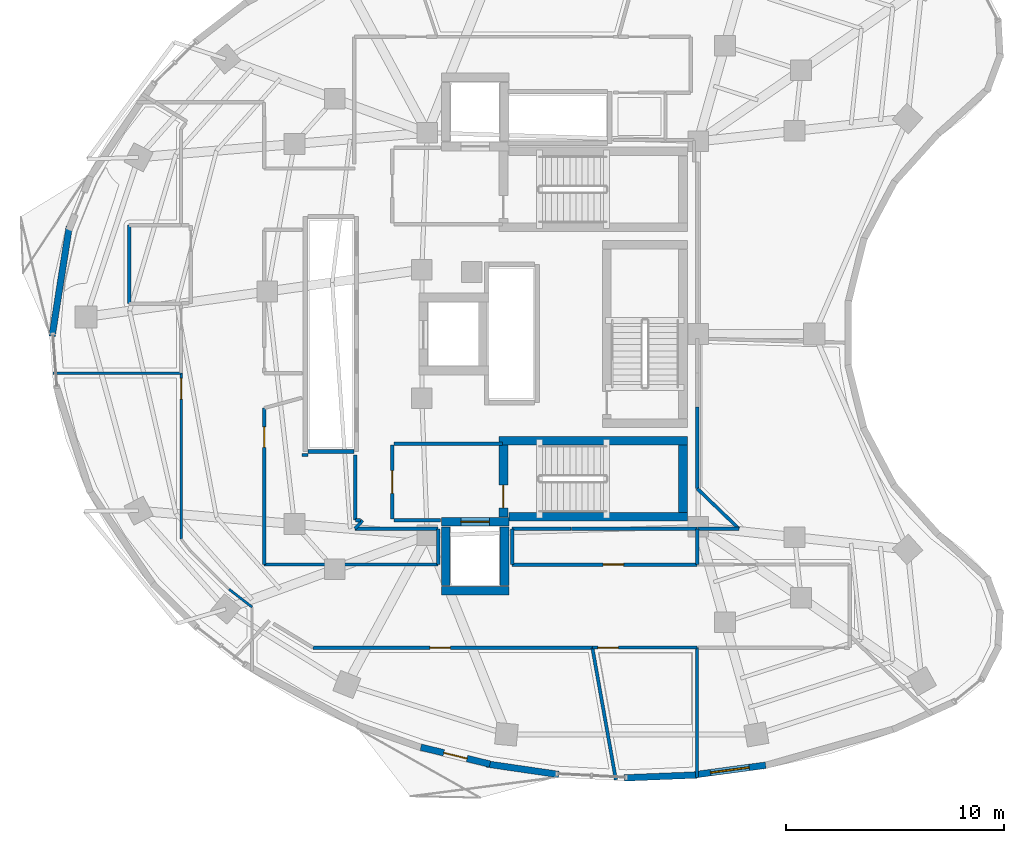
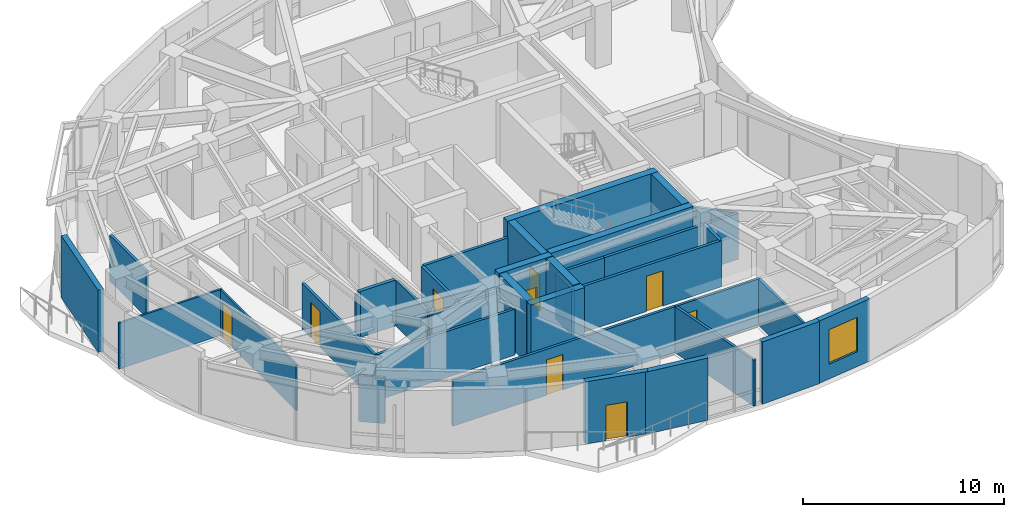
# One storey, part 7 of 13: 41 walls, 9 doors, 1 window, 10 openings.
"""IFC4 building model written with IfcOpenShell, lengths in metres."""

from ifc_helpers import new_model, si_unit, direction, frame, frame_2d, origin, place, context, subcontext, project, spatial, rectangle, extrude, material, layer, layer_set, type_object, element, fill, save


model = new_model("IFC4")

# Units and contexts
model_context = context("Model", 3, precision=1e-05, world=origin(), true_north=direction((0.0, 1.0)))
body_context = subcontext(model_context, "Body", "Model", "MODEL_VIEW")
ifc_project = project(units=[si_unit("LENGTHUNIT", "METRE"), si_unit("AREAUNIT", "SQUARE_METRE"), si_unit("VOLUMEUNIT", "CUBIC_METRE"), si_unit("PLANEANGLEUNIT", "RADIAN"), si_unit("MASSUNIT", "GRAM", prefix="KILO")], contexts=[model_context])

# Site, building, storey
site_placement = place(None, origin())
site = spatial("IfcSite", under=ifc_project, at=site_placement, CompositionType="ELEMENT")
building_placement = place(site_placement, origin())
building = spatial("IfcBuilding", under=site, at=building_placement, Name="Korentha Bioscience Tower", CompositionType="ELEMENT")
storey_placement = place(building_placement, frame((0.0, 0.0, 162.60009765625)))
storey = spatial("IfcBuildingStorey", under=building, at=storey_placement, Name="L37", CompositionType="ELEMENT", Elevation=162.60009765625)

# Wall, opening, door
ifc_material_1 = material(Name="Double-Stud Acoustic Gypsum", Category="gypsum")
ifc_layer_1 = layer(ifc_material_1, 0.14990234375, Name="Double-Stud Acoustic Gypsum")
ifc_layer_set_1 = layer_set([ifc_layer_1], Name="Double-Stud Acoustic Gypsum (IW-L150)")
wall_type_1 = type_object("IfcWallType", Name="Acoustic Laboratory Partition Wall 150", PredefinedType="PARTITIONING", material=ifc_layer_set_1)
wall_1_placement = place(storey_placement, frame((17.610107421875, 16.409912109375, 0.0), z_axis=(0.0, 0.0, 1.0), x_axis=(0.0, 1.0, 0.0)))
wall_1 = element("IfcWall", 1, at=wall_1_placement, inside=storey, type_object=wall_type_1, Name="L37 Research Colloquium Seminar Room 02 Entrance Wall", PredefinedType="PARTITIONING", context=body_context, shape_type="SweptSolid", body=[
    extrude(rectangle(XDim=7.18896484375, YDim=0.14990234375, at=frame_2d((3.594482421875, 0.0))), origin(), (0.0, 0.0, 1.0), 2.7998046875),
])
opening_1_placement = place(wall_1_placement, frame((5.376953125, 0.0, 0.0)))
opening_1 = element("IfcOpeningElement", 2, at=opening_1_placement, cuts=wall_1, Name="Opening ID-10L", PredefinedType="OPENING", context=body_context, shape_type="SweptSolid", body=[
    extrude(rectangle(XDim=0.949951171875, YDim=2.14990234375, at=frame_2d((0.47509765625, 1.074951171875))), frame((0.0, 0.08984375, 0.0), z_axis=(0.0, -1.0, 0.0), x_axis=(1.0, 0.0, 0.0)), (0.0, 0.0, 1.0), 0.1796875),
])
ifc_material_2 = material(Name="Phenolic Laminate Timber Core", Category="wood")
door_type_1 = type_object("IfcDoorType", Name="Laboratory Single Leaf Door 950x2150 Left", OperationType="SINGLE_SWING_LEFT", PredefinedType="DOOR", material=ifc_material_2)
door_1_placement = place(opening_1_placement, origin())
door_1 = element("IfcDoor", 3, at=door_1_placement, inside=storey, type_object=door_type_1, Name="L37 Research Colloquium Seminar Room 02 Door", OperationType="SINGLE_SWING_LEFT", OverallHeight=2.14990234375, OverallWidth=0.949951171875, PredefinedType="DOOR", context=body_context, shape_type="SweptSolid", body=[
    extrude(rectangle(XDim=0.949951171875, YDim=2.14990234375, at=frame_2d((0.47509765625, 1.074951171875))), frame((0.0, 0.02490234375, 0.0), z_axis=(0.0, -1.0, 0.0), x_axis=(1.0, 0.0, 0.0)), (0.0, 0.0, 1.0), 0.050048828125),
])
fill(opening_1, door_1)

wall_2_placement = place(storey_placement, frame((19.849853515625, 12.590087890625, 0.0), z_axis=(0.0, 0.0, 1.0), x_axis=(1.0, 0.0, 0.0)))
wall_2 = element("IfcWall", 4, at=wall_2_placement, inside=storey, type_object=wall_type_1, Name="L37 Staff Pantry Kitchenette 03 Entrance Wall", PredefinedType="PARTITIONING", context=body_context, shape_type="SweptSolid", body=[
    extrude(rectangle(XDim=12.83544921875, YDim=0.14990234375, at=frame_2d((6.417724609375, 0.0))), origin(), (0.0, 0.0, 1.0), 2.7998046875),
])
opening_2_placement = place(wall_2_placement, frame((5.365234375, 0.0, 0.0)))
opening_2 = element("IfcOpeningElement", 5, at=opening_2_placement, cuts=wall_2, Name="Opening ID-10R", PredefinedType="OPENING", context=body_context, shape_type="SweptSolid", body=[
    extrude(rectangle(XDim=0.949951171875, YDim=2.14990234375, at=frame_2d((0.47509765625, 1.074951171875))), frame((0.0, 0.08984375, 0.0), z_axis=(0.0, -1.0, 0.0), x_axis=(1.0, 0.0, 0.0)), (0.0, 0.0, 1.0), 0.1796875),
])
door_type_2 = type_object("IfcDoorType", Name="Laboratory Single Leaf Door 950x2150 Right", OperationType="SINGLE_SWING_RIGHT", PredefinedType="DOOR", material=ifc_material_2)
door_2_placement = place(opening_2_placement, origin())
door_2 = element("IfcDoor", 6, at=door_2_placement, inside=storey, type_object=door_type_2, Name="L37 Staff Pantry Kitchenette 03 Door", OperationType="SINGLE_SWING_RIGHT", OverallHeight=2.14990234375, OverallWidth=0.949951171875, PredefinedType="DOOR", context=body_context, shape_type="SweptSolid", body=[
    extrude(rectangle(XDim=0.949951171875, YDim=2.14990234375, at=frame_2d((0.47509765625, 1.074951171875))), frame((0.0, 0.02490234375, 0.0), z_axis=(0.0, -1.0, 0.0), x_axis=(1.0, 0.0, 0.0)), (0.0, 0.0, 1.0), 0.050048828125),
])
fill(opening_2, door_2)

# Walls
wall_3_placement = place(storey_placement, frame((19.35009765625, 21.43994140625, 0.0), z_axis=(0.0, 0.0, 1.0), x_axis=(1.0, 0.0, 0.0)))
element("IfcWall", 7, at=wall_3_placement, inside=storey, type_object=wall_type_1, Name="L37 Interior Partition 028", PredefinedType="PARTITIONING", context=body_context, shape_type="SweptSolid", body=[
    extrude(rectangle(XDim=0.27001953125, YDim=0.14990234375, at=frame_2d((0.135009765625, 0.0))), origin(), (0.0, 0.0, 1.0), 2.7998046875),
])
wall_4_placement = place(storey_placement, frame((21.7900390625, 21.43994140625, 0.0), z_axis=(0.0, 0.0, 1.0), x_axis=(0.0, -1.0, 0.0)))
element("IfcWall", 8, at=wall_4_placement, inside=storey, type_object=wall_type_1, Name="L37 Interior Partition 029", PredefinedType="PARTITIONING", context=body_context, shape_type="SweptSolid", body=[
    extrude(rectangle(XDim=2.989990234375, YDim=0.14990234375, at=frame_2d((1.4951171875, 0.0))), origin(), (0.0, 0.0, 1.0), 2.7998046875),
])
wall_5_placement = place(storey_placement, frame((21.800048828125, 18.43994140625, 0.0), z_axis=(0.0, 0.0, 1.0), x_axis=(1.0, 0.0, 0.0)))
element("IfcWall", 9, at=wall_5_placement, inside=storey, type_object=wall_type_1, Name="L37 Interior Partition 030", PredefinedType="PARTITIONING", context=body_context, shape_type="SweptSolid", body=[
    extrude(rectangle(XDim=0.228759765625, YDim=0.14990234375, at=frame_2d((0.1142578125, 0.0))), origin(), (0.0, 0.0, 1.0), 2.7998046875),
])
wall_6_placement = place(storey_placement, frame((22.13525390625, 18.43994140625, 0.0), z_axis=(0.0, 0.0, 1.0), x_axis=(-0.68187219697, -0.731471330265, 0.0)))
element("IfcWall", 10, at=wall_6_placement, inside=storey, type_object=wall_type_1, Name="L37 Interior Partition 031", PredefinedType="PARTITIONING", context=body_context, shape_type="SweptSolid", body=[
    extrude(rectangle(XDim=0.526611328125, YDim=0.14990234375, at=frame_2d((0.26318359375, 0.0))), origin(), (0.0, 0.0, 1.0), 2.7998046875),
])
wall_7_placement = place(storey_placement, frame((21.779052734375, 18.048095703125, 0.0), z_axis=(0.0, 0.0, 1.0), x_axis=(1.0, 0.0, 0.0)))
element("IfcWall", 11, at=wall_7_placement, inside=storey, type_object=wall_type_1, Name="L37 Interior Partition 032", PredefinedType="PARTITIONING", context=body_context, shape_type="SweptSolid", body=[
    extrude(rectangle(XDim=3.82080078125, YDim=0.14990234375, at=frame_2d((1.910400390625, 0.0))), origin(), (0.0, 0.0, 1.0), 2.7998046875),
])
wall_8_placement = place(storey_placement, frame((25.60009765625, 18.0478515625, 0.0), z_axis=(0.0, 0.0, 1.0), x_axis=(0.0, -1.0, 0.0)))
element("IfcWall", 12, at=wall_8_placement, inside=storey, type_object=wall_type_1, Name="L37 Interior Partition 033", PredefinedType="PARTITIONING", context=body_context, shape_type="SweptSolid", body=[
    extrude(rectangle(XDim=1.637939453125, YDim=0.14990234375, at=frame_2d((0.81884765625, 0.0))), origin(), (0.0, 0.0, 1.0), 2.7998046875),
])
wall_9_placement = place(storey_placement, frame((25.60009765625, 16.409912109375, 0.0), z_axis=(0.0, 0.0, 1.0), x_axis=(-1.0, 0.0, 0.0)))
element("IfcWall", 13, at=wall_9_placement, inside=storey, type_object=wall_type_1, Name="L37 Interior Partition 034", PredefinedType="PARTITIONING", context=body_context, shape_type="SweptSolid", body=[
    extrude(rectangle(XDim=7.989990234375, YDim=0.14990234375, at=frame_2d((3.9951171875, 0.0))), origin(), (0.0, 0.0, 1.0), 2.7998046875),
])
wall_10_placement = place(storey_placement, frame((32.685302734375, 12.590087890625, 0.0), z_axis=(0.0, 0.0, 1.0), x_axis=(0.175350659772, -0.984506041687, 0.0)))
element("IfcWall", 14, at=wall_10_placement, inside=storey, type_object=wall_type_1, Name="L37 Interior Partition 037", PredefinedType="PARTITIONING", context=body_context, shape_type="SweptSolid", body=[
    extrude(rectangle(XDim=6.1650390625, YDim=0.14990234375, at=frame_2d((3.08251953125, 0.0))), origin(), (0.0, 0.0, 1.0), 2.7998046875),
])
wall_11_placement = place(storey_placement, frame((37.508056640625, 18.048095703125, 0.0), z_axis=(0.0, 0.0, 1.0), x_axis=(1.0, 0.0, 0.0)))
element("IfcWall", 15, at=wall_11_placement, inside=storey, type_object=wall_type_1, Name="L37 Interior Partition 049", PredefinedType="PARTITIONING", context=body_context, shape_type="SweptSolid", body=[
    extrude(rectangle(XDim=1.907958984375, YDim=0.14990234375, at=frame_2d((0.9541015625, 0.0))), origin(), (0.0, 0.0, 1.0), 2.7998046875),
])
wall_12_placement = place(storey_placement, frame((39.418701171875, 18.054931640625, 0.0), z_axis=(0.0, 0.0, 1.0), x_axis=(-0.720561375154, 0.693391162791, 0.0)))
element("IfcWall", 16, at=wall_12_placement, inside=storey, type_object=wall_type_1, Name="L37 Interior Partition 050", PredefinedType="PARTITIONING", context=body_context, shape_type="SweptSolid", body=[
    extrude(rectangle(XDim=2.65966796875, YDim=0.14990234375, at=frame_2d((1.329833984375, 0.0))), origin(), (0.0, 0.0, 1.0), 2.7998046875),
])
wall_13_placement = place(storey_placement, frame((37.501953125, 19.8994140625, 0.0), z_axis=(0.0, 0.0, 1.0), x_axis=(0.0, 1.0, 0.0)))
element("IfcWall", 17, at=wall_13_placement, inside=storey, type_object=wall_type_1, Name="L37 Interior Partition 051", PredefinedType="PARTITIONING", context=body_context, shape_type="SweptSolid", body=[
    extrude(rectangle(XDim=3.74853515625, YDim=0.14990234375, at=frame_2d((1.874267578125, 0.0))), origin(), (0.0, 0.0, 1.0), 2.7998046875),
])

# Wall, opening, door
ifc_material_3 = material(Name="Insulated Aluminium Honeycomb Panel", Category="aluminium")
ifc_layer_2 = layer(ifc_material_3, 0.139892578125, Name="Insulated Aluminium Honeycomb Panel")
ifc_layer_set_2 = layer_set([ifc_layer_2], Name="Insulated Aluminium Honeycomb Panel (IW-F60)")
wall_type_2 = type_object("IfcWallType", Name="Cleanroom Flush Metal Panel Partition 140", PredefinedType="PARTITIONING", material=ifc_layer_set_2)
wall_14_placement = place(storey_placement, frame((32.6953125, 12.590087890625, 0.0), z_axis=(0.0, 0.0, 1.0), x_axis=(1.0, 0.0, 0.0)))
wall_14 = element("IfcWall", 18, at=wall_14_placement, inside=storey, type_object=wall_type_2, Name="L37 Airlock Gowning Anteroom 05 Entrance Wall", PredefinedType="PARTITIONING", context=body_context, shape_type="SweptSolid", body=[
    extrude(rectangle(XDim=4.802734375, YDim=0.139892578125, at=frame_2d((2.4013671875, 0.0))), origin(), (0.0, 0.0, 1.0), 2.7998046875),
])
opening_3_placement = place(wall_14_placement, frame((0.239990234375, 0.0, 0.0)))
opening_3 = element("IfcOpeningElement", 19, at=opening_3_placement, cuts=wall_14, Name="Opening ID-10R", PredefinedType="OPENING", context=body_context, shape_type="SweptSolid", body=[
    extrude(rectangle(XDim=0.949951171875, YDim=2.14990234375, at=frame_2d((0.47509765625, 1.074951171875))), frame((0.0, 0.0849609375, 0.0), z_axis=(0.0, -1.0, 0.0), x_axis=(1.0, 0.0, 0.0)), (0.0, 0.0, 1.0), 0.169677734375),
])
door_3_placement = place(opening_3_placement, origin())
door_3 = element("IfcDoor", 20, at=door_3_placement, inside=storey, type_object=door_type_2, Name="L37 Airlock Gowning Anteroom 05 Door", OperationType="SINGLE_SWING_RIGHT", OverallHeight=2.14990234375, OverallWidth=0.949951171875, PredefinedType="DOOR", context=body_context, shape_type="SweptSolid", body=[
    extrude(rectangle(XDim=0.949951171875, YDim=2.14990234375, at=frame_2d((0.47509765625, 1.074951171875))), frame((0.0, 0.02490234375, 0.0), z_axis=(0.0, -1.0, 0.0), x_axis=(1.0, 0.0, 0.0)), (0.0, 0.0, 1.0), 0.050048828125),
])
fill(opening_3, door_3)

# Wall
wall_15_placement = place(storey_placement, frame((37.498046875, 12.590087890625, 0.0), z_axis=(0.0, 0.0, 1.0), x_axis=(0.0, -1.0, 0.0)))
element("IfcWall", 21, at=wall_15_placement, inside=storey, type_object=wall_type_2, Name="L37 Interior Partition 044", PredefinedType="PARTITIONING", context=body_context, shape_type="SweptSolid", body=[
    extrude(rectangle(XDim=5.962890625, YDim=0.139892578125, at=frame_2d((2.9814453125, 0.0))), origin(), (0.0, 0.0, 1.0), 2.7998046875),
])

# Wall, opening, door
ifc_material_4 = material(Name="Fire-Rated Framed Glass", Category="glass")
ifc_layer_3 = layer(ifc_material_4, 0.110107421875, Name="Fire-Rated Framed Glass")
ifc_layer_set_3 = layer_set([ifc_layer_3], Name="Fire-Rated Framed Glass (IW-G110)")
wall_type_3 = type_object("IfcWallType", Name="Demountable Glazed Office Partition 110", PredefinedType="MOVABLE", material=ifc_layer_set_3)
wall_16_placement = place(storey_placement, frame((13.7900390625, 25.197998046875, 0.0), z_axis=(0.0, 0.0, 1.0), x_axis=(0.0, -1.0, 0.0)))
wall_16 = element("IfcWall", 22, at=wall_16_placement, inside=storey, type_object=wall_type_3, Name="L37 Principal Investigator Office 01 Entrance Wall", PredefinedType="MOVABLE", context=body_context, shape_type="SweptSolid", body=[
    extrude(rectangle(XDim=7.615478515625, YDim=0.110107421875, at=frame_2d((3.8076171875, 0.0))), origin(), (0.0, 0.0, 1.0), 2.7998046875),
])
opening_4_placement = place(wall_16_placement, frame((0.239990234375, 0.0, 0.0)))
opening_4 = element("IfcOpeningElement", 23, at=opening_4_placement, cuts=wall_16, Name="Opening ID-10R", PredefinedType="OPENING", context=body_context, shape_type="SweptSolid", body=[
    extrude(rectangle(XDim=0.949951171875, YDim=2.14990234375, at=frame_2d((0.47509765625, 1.074951171875))), frame((0.0, 0.06982421875, 0.0), z_axis=(0.0, -1.0, 0.0), x_axis=(1.0, 0.0, 0.0)), (0.0, 0.0, 1.0), 0.139892578125),
])
door_4_placement = place(opening_4_placement, origin())
door_4 = element("IfcDoor", 24, at=door_4_placement, inside=storey, type_object=door_type_2, Name="L37 Principal Investigator Office 01 Door", OperationType="SINGLE_SWING_RIGHT", OverallHeight=2.14990234375, OverallWidth=0.949951171875, PredefinedType="DOOR", context=body_context, shape_type="SweptSolid", body=[
    extrude(rectangle(XDim=0.949951171875, YDim=2.14990234375, at=frame_2d((0.47509765625, 1.074951171875))), frame((0.0, 0.02490234375, 0.0), z_axis=(0.0, -1.0, 0.0), x_axis=(1.0, 0.0, 0.0)), (0.0, 0.0, 1.0), 0.050048828125),
])
fill(opening_4, door_4)

# Walls
wall_17_placement = place(storey_placement, frame((7.89794921875, 25.197998046875, 0.0), z_axis=(0.0, 0.0, 1.0), x_axis=(1.0, 0.0, 0.0)))
element("IfcWall", 25, at=wall_17_placement, inside=storey, type_object=wall_type_3, Name="L37 Interior Partition 022", PredefinedType="MOVABLE", context=body_context, shape_type="SweptSolid", body=[
    extrude(rectangle(XDim=5.89208984375, YDim=0.110107421875, at=frame_2d((2.946044921875, 0.0))), origin(), (0.0, 0.0, 1.0), 2.7998046875),
])
wall_18_placement = place(storey_placement, frame((15.99462890625, 15.27099609375, 0.0), z_axis=(0.0, 0.0, 1.0), x_axis=(0.790603531082, -0.612328389543, 0.0)))
element("IfcWall", 26, at=wall_18_placement, inside=storey, type_object=wall_type_3, Name="L37 Interior Partition 025", PredefinedType="MOVABLE", context=body_context, shape_type="SweptSolid", body=[
    extrude(rectangle(XDim=1.33251953125, YDim=0.110107421875, at=frame_2d((0.666259765625, 0.0))), origin(), (0.0, 0.0, 1.0), 2.7998046875),
])

# Wall, opening, door
ifc_material_5 = material(Name="Gypsum-Clad Steel Stud", Category="steel")
ifc_layer_4 = layer(ifc_material_5, 0.159912109375, Name="Gypsum-Clad Steel Stud")
ifc_layer_set_4 = layer_set([ifc_layer_4], Name="Gypsum-Clad Steel Stud (IW-C160)")
wall_type_4 = type_object("IfcWallType", Name="Fire-Rated Corridor Partition Wall 160", PredefinedType="PARTITIONING", material=ifc_layer_set_4)
wall_19_placement = place(storey_placement, frame((23.5, 18.5, 0.0), z_axis=(0.0, 0.0, 1.0), x_axis=(0.0, 1.0, 0.0)))
wall_19 = element("IfcWall", 27, at=wall_19_placement, inside=storey, type_object=wall_type_4, Name="L37 FFLS-CW Rated Enclosure Wall", PredefinedType="PARTITIONING", context=body_context, shape_type="SweptSolid", body=[
    extrude(rectangle(XDim=3.39990234375, YDim=0.159912109375, at=frame_2d((1.699951171875, 0.0))), origin(), (0.0, 0.0, 1.0), 2.7998046875),
])
opening_5_placement = place(wall_19_placement, frame((1.175048828125, 0.0, 0.0)))
opening_5 = element("IfcOpeningElement", 28, at=opening_5_placement, cuts=wall_19, Name="Opening FD-90R", PredefinedType="OPENING", context=body_context, shape_type="SweptSolid", body=[
    extrude(rectangle(XDim=1.050048828125, YDim=2.14990234375, at=frame_2d((0.52490234375, 1.074951171875))), frame((0.0, 0.0947265625, 0.0), z_axis=(0.0, -1.0, 0.0), x_axis=(1.0, 0.0, 0.0)), (0.0, 0.0, 1.0), 0.189697265625),
])
ifc_material_6 = material(Name="Powder-Coated Fire-Rated Steel", Category="steel")
door_type_3 = type_object("IfcDoorType", Name="Stairwell Fire Exit Door 1050x2150 Right", OperationType="SINGLE_SWING_RIGHT", PredefinedType="DOOR", material=ifc_material_6)
door_5_placement = place(opening_5_placement, origin())
door_5 = element("IfcDoor", 29, at=door_5_placement, inside=storey, type_object=door_type_3, Name="L37 South Firefighting Lobby Door", OperationType="SINGLE_SWING_RIGHT", OverallHeight=2.14990234375, OverallWidth=1.050048828125, PredefinedType="DOOR", context=body_context, shape_type="SweptSolid", body=[
    extrude(rectangle(XDim=1.050048828125, YDim=2.14990234375, at=frame_2d((0.52490234375, 1.074951171875))), frame((0.0, 0.02490234375, 0.0), z_axis=(0.0, -1.0, 0.0), x_axis=(1.0, 0.0, 0.0)), (0.0, 0.0, 1.0), 0.050048828125),
])
fill(opening_5, door_5)

# Walls
wall_20_placement = place(storey_placement, frame((23.580078125, 21.949951171875, 0.0), z_axis=(0.0, 0.0, 1.0), x_axis=(1.0, 0.0, 0.0)))
element("IfcWall", 30, at=wall_20_placement, inside=storey, type_object=wall_type_4, Name="L37 Firefighting Lobby Return Wall FFLS-N", PredefinedType="PARTITIONING", context=body_context, shape_type="SweptSolid", body=[
    extrude(rectangle(XDim=4.969970703125, YDim=0.159912109375, at=frame_2d((2.48486328125, 0.0))), origin(), (0.0, 0.0, 1.0), 2.7998046875),
])
wall_21_placement = place(storey_placement, frame((23.580078125, 18.449951171875, 0.0), z_axis=(0.0, 0.0, 1.0), x_axis=(1.0, 0.0, 0.0)))
element("IfcWall", 31, at=wall_21_placement, inside=storey, type_object=wall_type_4, Name="L37 Firefighting Lobby Return Wall FFLS-S", PredefinedType="PARTITIONING", context=body_context, shape_type="SweptSolid", body=[
    extrude(rectangle(XDim=2.119873046875, YDim=0.159912109375, at=frame_2d((1.06005859375, 0.0))), origin(), (0.0, 0.0, 1.0), 2.7998046875),
])

# Wall, opening, door
wall_22_placement = place(storey_placement, frame((37.498046875, 16.409912109375, 0.0), z_axis=(0.0, 0.0, 1.0), x_axis=(-1.0, 0.0, 0.0)))
wall_22 = element("IfcWall", 32, at=wall_22_placement, inside=storey, type_object=wall_type_4, Name="L37 Biospecimen Archive Store 04 Entrance Wall", PredefinedType="PARTITIONING", context=body_context, shape_type="SweptSolid", body=[
    extrude(rectangle(XDim=8.498046875, YDim=0.159912109375, at=frame_2d((4.2490234375, 0.0))), origin(), (0.0, 0.0, 1.0), 2.7998046875),
])
opening_6_placement = place(wall_22_placement, frame((3.371826171875, 0.0, 0.0)))
opening_6 = element("IfcOpeningElement", 33, at=opening_6_placement, cuts=wall_22, Name="Opening ID-10L", PredefinedType="OPENING", context=body_context, shape_type="SweptSolid", body=[
    extrude(rectangle(XDim=0.949951171875, YDim=2.14990234375, at=frame_2d((0.47509765625, 1.074951171875))), frame((0.0, 0.0947265625, 0.0), z_axis=(0.0, -1.0, 0.0), x_axis=(1.0, 0.0, 0.0)), (0.0, 0.0, 1.0), 0.189697265625),
])
door_6_placement = place(opening_6_placement, origin())
door_6 = element("IfcDoor", 34, at=door_6_placement, inside=storey, type_object=door_type_1, Name="L37 Biospecimen Archive Store 04 Door", OperationType="SINGLE_SWING_LEFT", OverallHeight=2.14990234375, OverallWidth=0.949951171875, PredefinedType="DOOR", context=body_context, shape_type="SweptSolid", body=[
    extrude(rectangle(XDim=0.949951171875, YDim=2.14990234375, at=frame_2d((0.47509765625, 1.074951171875))), frame((0.0, 0.02490234375, 0.0), z_axis=(0.0, -1.0, 0.0), x_axis=(1.0, 0.0, 0.0)), (0.0, 0.0, 1.0), 0.050048828125),
])
fill(opening_6, door_6)

# Walls
wall_23_placement = place(storey_placement, frame((11.39990234375, 28.39990234375, 0.0), z_axis=(0.0, 0.0, 1.0), x_axis=(0.0, 1.0, 0.0)))
element("IfcWall", 35, at=wall_23_placement, inside=storey, type_object=wall_type_4, Name="L37 Interior Partition 020", PredefinedType="PARTITIONING", context=body_context, shape_type="SweptSolid", body=[
    extrude(rectangle(XDim=3.60009765625, YDim=0.159912109375, at=frame_2d((1.800048828125, 0.0))), origin(), (0.0, 0.0, 1.0), 2.7998046875),
])
wall_24_placement = place(storey_placement, frame((29.0, 18.048095703125, 0.0), z_axis=(0.0, 0.0, 1.0), x_axis=(1.0, 0.0, 0.0)))
element("IfcWall", 36, at=wall_24_placement, inside=storey, type_object=wall_type_4, Name="L37 Interior Partition 040", PredefinedType="PARTITIONING", context=body_context, shape_type="SweptSolid", body=[
    extrude(rectangle(XDim=2.712890625, YDim=0.159912109375, at=frame_2d((1.3564453125, 0.0))), origin(), (0.0, 0.0, 1.0), 2.7998046875),
])
wall_25_placement = place(storey_placement, frame((31.717041015625, 18.048095703125, 0.0), z_axis=(0.0, 0.0, 1.0), x_axis=(1.0, 0.0, 0.0)))
element("IfcWall", 37, at=wall_25_placement, inside=storey, type_object=wall_type_4, Name="L37 Interior Partition 041", PredefinedType="PARTITIONING", context=body_context, shape_type="SweptSolid", body=[
    extrude(rectangle(XDim=5.78076171875, YDim=0.159912109375, at=frame_2d((2.890380859375, 0.0))), origin(), (0.0, 0.0, 1.0), 2.7998046875),
])
for number, where, z_axis, x_axis, name in (
    (38, (37.498046875, 18.0478515625, 0.0), (0.0, 0.0, 1.0), (0.0, -1.0, 0.0), "L37 Interior Partition 042"),
    (39, (29.0, 16.409912109375, 0.0), (0.0, 0.0, 1.0), (0.0, 1.0, 0.0), "L37 Interior Partition 043"),
):
    element("IfcWall", number, at=place(storey_placement, frame(where, z_axis=z_axis, x_axis=x_axis)), inside=storey, type_object=wall_type_4, Name=name, PredefinedType="PARTITIONING", context=body_context, shape_type="SweptSolid", body=[
        extrude(rectangle(XDim=1.637939453125, YDim=0.159912109375, at=frame_2d((0.81884765625, 0.0))), origin(), (0.0, 0.0, 1.0), 2.7998046875),
    ])

# Wall, opening, door
ifc_material_7 = material(Name="Honed Limestone Precast Concrete C40", Category="masonry")
ifc_layer_5 = layer(ifc_material_7, 0.300048828125, Name="Honed Limestone Precast Concrete C40")
ifc_layer_set_5 = layer_set([ifc_layer_5], Name="Honed Limestone Precast Concrete C40 (EW-ST300)")
wall_type_5 = type_object("IfcWallType", Name="Honed Limestone Cavity Spandrel Wall 300", PredefinedType="STANDARD", material=ifc_layer_set_5)
wall_26_placement = place(storey_placement, frame((24.806640625, 8.015625, 0.0), z_axis=(0.0, 0.0, 1.0), x_axis=(0.971312804689, -0.237805457142, 0.0)))
wall_26 = element("IfcWall", 40, at=wall_26_placement, inside=storey, type_object=wall_type_5, Name="L37 Balcony Threshold Wall 03", PredefinedType="STANDARD", context=body_context, shape_type="SweptSolid", body=[
    extrude(rectangle(XDim=3.268798828125, YDim=0.300048828125, at=frame_2d((1.63427734375, 0.0))), origin(), (0.0, 0.0, 1.0), 3.789794921875),
])
opening_7_placement = place(wall_26_placement, frame((1.08447265625, 0.0, 0.0)))
opening_7 = element("IfcOpeningElement", 41, at=opening_7_placement, cuts=wall_26, Name="Opening BD-11L", PredefinedType="OPENING", context=body_context, shape_type="SweptSolid", body=[
    extrude(rectangle(XDim=1.10009765625, YDim=2.14990234375, at=frame_2d((0.550048828125, 1.074951171875))), frame((0.0, 0.1650390625, 0.0), z_axis=(0.0, -1.0, 0.0), x_axis=(1.0, 0.0, 0.0)), (0.0, 0.0, 1.0), 0.329833984375),
])
ifc_material_8 = material(Name="Thermally Broken Glazed Aluminium", Category="aluminium")
door_type_4 = type_object("IfcDoorType", Name="Balcony Terrace Glazed Door 1100x2150 Left", OperationType="SINGLE_SWING_LEFT", PredefinedType="DOOR", material=ifc_material_8)
door_7_placement = place(opening_7_placement, origin())
door_7 = element("IfcDoor", 42, at=door_7_placement, inside=storey, type_object=door_type_4, Name="L37 Balcony Access Door 03", OperationType="SINGLE_SWING_LEFT", OverallHeight=2.14990234375, OverallWidth=1.10009765625, PredefinedType="DOOR", context=body_context, shape_type="SweptSolid", body=[
    extrude(rectangle(XDim=1.10009765625, YDim=2.14990234375, at=frame_2d((0.550048828125, 1.074951171875))), frame((0.0, 0.02490234375, 0.0), z_axis=(0.0, -1.0, 0.0), x_axis=(1.0, 0.0, 0.0)), (0.0, 0.0, 1.0), 0.050048828125),
])
fill(opening_7, door_7)

# Wall, opening, window
wall_27_placement = place(storey_placement, frame((37.365478515625, 6.748291015625, 0.0), z_axis=(0.0, 0.0, 1.0), x_axis=(0.991139436205, 0.132825517122, 0.0)))
wall_27 = element("IfcWall", 43, at=wall_27_placement, inside=storey, type_object=wall_type_5, Name="L37 Honed Limestone Spandrel Wall 33", PredefinedType="STANDARD", context=body_context, shape_type="SweptSolid", body=[
    extrude(rectangle(XDim=3.310302734375, YDim=0.300048828125, at=frame_2d((1.6552734375, 0.0))), origin(), (0.0, 0.0, 1.0), 3.789794921875),
])
opening_8_placement = place(wall_27_placement, frame((0.755126953125, 0.0, 0.89990234375)))
opening_8 = element("IfcOpeningElement", 44, at=opening_8_placement, cuts=wall_27, Name="Opening WN-01", PredefinedType="OPENING", context=body_context, shape_type="SweptSolid", body=[
    extrude(rectangle(XDim=1.800048828125, YDim=2.10009765625, at=frame_2d((0.89990234375, 1.050048828125))), frame((0.0, 0.1650390625, 0.0), z_axis=(0.0, -1.0, 0.0), x_axis=(1.0, 0.0, 0.0)), (0.0, 0.0, 1.0), 0.329833984375),
])
ifc_material_9 = material(Name="Thermally Broken Aluminium Triple Glazing", Category="aluminium")
window_type = type_object("IfcWindowType", Name="Triple-Glazed Fixed Bioscience Window 1800x2100", PartitioningType="SINGLE_PANEL", PredefinedType="WINDOW", material=ifc_material_9)
window_placement = place(opening_8_placement, origin())
window = element("IfcWindow", 45, at=window_placement, inside=storey, type_object=window_type, Name="L37 Facade Window 33", OverallHeight=2.10009765625, OverallWidth=1.800048828125, PartitioningType="SINGLE_PANEL", PredefinedType="WINDOW", context=body_context, shape_type="SweptSolid", body=[
    extrude(rectangle(XDim=1.800048828125, YDim=2.10009765625, at=frame_2d((0.89990234375, 1.050048828125))), frame((0.0, 0.030029296875, 0.0), z_axis=(0.0, -1.0, 0.0), x_axis=(1.0, 0.0, 0.0)), (0.0, 0.0, 1.0), 0.06005859375),
])
fill(opening_8, window)

# Walls
wall_28_placement = place(storey_placement, frame((8.6552734375, 31.947021484375, 0.0), z_axis=(0.0, 0.0, 1.0), x_axis=(-0.155280464429, -0.987870425393, 0.0)))
element("IfcWall", 46, at=wall_28_placement, inside=storey, type_object=wall_type_5, Name="L37 Limestone Perimeter Closure Wall 17", PredefinedType="STANDARD", context=body_context, shape_type="SweptSolid", body=[
    extrude(rectangle(XDim=5.10986328125, YDim=0.300048828125, at=frame_2d((2.554931640625, 0.0))), origin(), (0.0, 0.0, 1.0), 3.789794921875),
])
wall_29_placement = place(storey_placement, frame((27.826416015625, 7.247314453125, 0.0), z_axis=(0.0, 0.0, 1.0), x_axis=(0.98945927954, -0.144811374319, 0.0)))
element("IfcWall", 47, at=wall_29_placement, inside=storey, type_object=wall_type_5, Name="L37 Limestone Perimeter Closure Wall 30", PredefinedType="STANDARD", context=body_context, shape_type="SweptSolid", body=[
    extrude(rectangle(XDim=3.346435546875, YDim=0.300048828125, at=frame_2d((1.67333984375, 0.0))), origin(), (0.0, 0.0, 1.0), 3.789794921875),
])
wall_30_placement = place(storey_placement, frame((34.1552734375, 6.605224609375, 0.0), z_axis=(0.0, 0.0, 1.0), x_axis=(0.999190386434, 0.040231475948, 0.0)))
element("IfcWall", 48, at=wall_30_placement, inside=storey, type_object=wall_type_5, Name="L37 Limestone Perimeter Closure Wall 32", PredefinedType="STANDARD", context=body_context, shape_type="SweptSolid", body=[
    extrude(rectangle(XDim=3.367919921875, YDim=0.300048828125, at=frame_2d((1.68408203125, 0.0))), origin(), (0.0, 0.0, 1.0), 3.789794921875),
])
ifc_material_10 = material(Name="Autoclaved Aerated Concrete Block C25", Category="concrete")
ifc_layer_6 = layer(ifc_material_10, 0.199951171875, Name="Autoclaved Aerated Concrete Block C25")
ifc_layer_set_6 = layer_set([ifc_layer_6], Name="Autoclaved Aerated Concrete Block C25 (IW-S200)")
wall_type_6 = type_object("IfcWallType", Name="Lift and Riser Shaft Enclosure Wall 200", PredefinedType="PARTITIONING", material=ifc_layer_set_6)
wall_31_placement = place(storey_placement, frame((19.6201171875, 21.60009765625, 0.0), z_axis=(0.0, 0.0, 1.0), x_axis=(1.0, 0.0, 0.0)))
element("IfcWall", 49, at=wall_31_placement, inside=storey, type_object=wall_type_6, Name="L37 Lift Bank MID Shaft Wall -Y", PredefinedType="PARTITIONING", context=body_context, shape_type="SweptSolid", body=[
    extrude(rectangle(XDim=2.10986328125, YDim=0.199951171875, at=frame_2d((1.054931640625, 0.0))), origin(), (0.0, 0.0, 1.0), 2.7998046875),
])
ifc_material_11 = material(Name="Concrete C65", Category="concrete")
ifc_layer_7 = layer(ifc_material_11, 0.39990234375, Name="Concrete C65")
ifc_layer_set_7 = layer_set([ifc_layer_7], Name="Concrete C65 (CW-C65)")
wall_type_7 = type_object("IfcWallType", Name="Mid-Rise Core Shear Wall 400", PredefinedType="SHEAR", material=ifc_layer_set_7)
wall_32_placement = place(storey_placement, frame((28.85205078125, 18.60009765625, 0.0), z_axis=(0.0, 0.0, 1.0), x_axis=(1.0, 0.0, 0.0)))
element("IfcWall", 50, at=wall_32_placement, inside=storey, type_object=wall_type_7, Name="L37 Core Shear Wall ST2-S", PredefinedType="SHEAR", context=body_context, shape_type="SweptSolid", body=[
    extrude(rectangle(XDim=8.197998046875, YDim=0.39990234375, at=frame_2d((4.09912109375, 0.0))), origin(), (0.0, 0.0, 1.0), 3.789794921875),
])
wall_33_placement = place(storey_placement, frame((28.39990234375, 22.10009765625, 0.0), z_axis=(0.0, 0.0, 1.0), x_axis=(1.0, 0.0, 0.0)))
element("IfcWall", 51, at=wall_33_placement, inside=storey, type_object=wall_type_7, Name="L37 Core Shear Wall ST2-N", PredefinedType="SHEAR", context=body_context, shape_type="SweptSolid", body=[
    extrude(rectangle(XDim=8.650146484375, YDim=0.39990234375, at=frame_2d((4.3251953125, 0.0))), origin(), (0.0, 0.0, 1.0), 3.789794921875),
])
wall_34_placement = place(storey_placement, frame((36.85009765625, 18.81005859375, 0.0), z_axis=(0.0, 0.0, 1.0), x_axis=(0.0, 1.0, 0.0)))
element("IfcWall", 52, at=wall_34_placement, inside=storey, type_object=wall_type_7, Name="L37 Core Shear Wall ST2-E", PredefinedType="SHEAR", context=body_context, shape_type="SweptSolid", body=[
    extrude(rectangle(XDim=3.079833984375, YDim=0.39990234375, at=frame_2d((1.5400390625, 0.0))), origin(), (0.0, 0.0, 1.0), 3.789794921875),
])

# Wall, opening, door
wall_35_placement = place(storey_placement, frame((28.60009765625, 18.58203125, 0.0), z_axis=(0.0, 0.0, 1.0), x_axis=(0.0, 1.0, 0.0)))
wall_35 = element("IfcWall", 53, at=wall_35_placement, inside=storey, type_object=wall_type_7, Name="L37 Core Shear Wall ST2-W", PredefinedType="SHEAR", context=body_context, shape_type="SweptSolid", body=[
    extrude(rectangle(XDim=3.307861328125, YDim=0.39990234375, at=frame_2d((1.65380859375, 0.0))), origin(), (0.0, 0.0, 1.0), 3.789794921875),
])
opening_9_placement = place(wall_35_placement, frame((0.427978515625, 0.0, 0.0)))
opening_9 = element("IfcOpeningElement", 54, at=opening_9_placement, cuts=wall_35, Name="Opening FD-90R", PredefinedType="OPENING", context=body_context, shape_type="SweptSolid", body=[
    extrude(rectangle(XDim=1.050048828125, YDim=2.14990234375, at=frame_2d((0.52490234375, 1.074951171875))), frame((0.0, 0.21484375, 0.0), z_axis=(0.0, -1.0, 0.0), x_axis=(1.0, 0.0, 0.0)), (0.0, 0.0, 1.0), 0.4296875),
])
door_8_placement = place(opening_9_placement, origin())
door_8 = element("IfcDoor", 55, at=door_8_placement, inside=storey, type_object=door_type_3, Name="L37 ST-2 Fire Exit Stair Door", OperationType="SINGLE_SWING_RIGHT", OverallHeight=2.14990234375, OverallWidth=1.050048828125, PredefinedType="DOOR", context=body_context, shape_type="SweptSolid", body=[
    extrude(rectangle(XDim=1.050048828125, YDim=2.14990234375, at=frame_2d((0.52490234375, 1.074951171875))), frame((0.0, 0.02490234375, 0.0), z_axis=(0.0, -1.0, 0.0), x_axis=(1.0, 0.0, 0.0)), (0.0, 0.0, 1.0), 0.050048828125),
])
fill(opening_9, door_8)

# Wall
wall_36_placement = place(storey_placement, frame((25.75, 15.199951171875, 0.0), z_axis=(0.0, 0.0, 1.0), x_axis=(1.0, 0.0, 0.0)))
element("IfcWall", 56, at=wall_36_placement, inside=storey, type_object=wall_type_7, Name="L37 Core Shear Wall FFL1-S", PredefinedType="SHEAR", context=body_context, shape_type="SweptSolid", body=[
    extrude(rectangle(XDim=3.10009765625, YDim=0.39990234375, at=frame_2d((1.550048828125, 0.0))), origin(), (0.0, 0.0, 1.0), 3.789794921875),
])

# Wall, opening, door
wall_37_placement = place(storey_placement, frame((25.75, 18.3798828125, 0.0), z_axis=(0.0, 0.0, 1.0), x_axis=(1.0, 0.0, 0.0)))
wall_37 = element("IfcWall", 57, at=wall_37_placement, inside=storey, type_object=wall_type_7, Name="L37 Core Shear Wall FFL1-N", PredefinedType="SHEAR", context=body_context, shape_type="SweptSolid", body=[
    extrude(rectangle(XDim=3.10009765625, YDim=0.39990234375, at=frame_2d((1.550048828125, 0.0))), origin(), (0.0, 0.0, 1.0), 3.789794921875),
])
opening_10_placement = place(wall_37_placement, frame((0.89990234375, 0.0, 0.0)))
opening_10 = element("IfcOpeningElement", 58, at=opening_10_placement, cuts=wall_37, Name="Opening LD-13", PredefinedType="OPENING", context=body_context, shape_type="SweptSolid", body=[
    extrude(rectangle(XDim=1.300048828125, YDim=2.199951171875, at=frame_2d((0.64990234375, 1.10009765625))), frame((0.0, 0.21484375, 0.0), z_axis=(0.0, -1.0, 0.0), x_axis=(1.0, 0.0, 0.0)), (0.0, 0.0, 1.0), 0.4296875),
])
ifc_material_12 = material(Name="Brushed Stainless Steel 316", Category="steel")
door_type_5 = type_object("IfcDoorType", Name="Service & Firefighting Lift Landing Door 1300x2300", OperationType="DOUBLE_DOOR_SLIDING", PredefinedType="DOOR", material=ifc_material_12)
door_9_placement = place(opening_10_placement, origin())
door_9 = element("IfcDoor", 59, at=door_9_placement, inside=storey, type_object=door_type_5, Name="L37 FFL-1 Sliding Lift Landing Door", OperationType="DOUBLE_DOOR_SLIDING", OverallHeight=2.199951171875, OverallWidth=1.300048828125, PredefinedType="DOOR", context=body_context, shape_type="SweptSolid", body=[
    extrude(rectangle(XDim=1.300048828125, YDim=2.199951171875, at=frame_2d((0.64990234375, 1.10009765625))), frame((0.0, 0.02490234375, 0.0), z_axis=(0.0, -1.0, 0.0), x_axis=(1.0, 0.0, 0.0)), (0.0, 0.0, 1.0), 0.050048828125),
])
fill(opening_10, door_9)

# Walls
for number, where, z_axis, x_axis, name in (
    (60, (25.949951171875, 15.43994140625, 0.0), (0.0, 0.0, 1.0), (0.0, 1.0, 0.0), "L37 Core Shear Wall FFL1-W"),
    (61, (28.64990234375, 15.43994140625, 0.0), (0.0, 0.0, 1.0), (0.0, 1.0, 0.0), "L37 Core Shear Wall FFL1-E"),
):
    element("IfcWall", number, at=place(storey_placement, frame(where, z_axis=z_axis, x_axis=x_axis)), inside=storey, type_object=wall_type_7, Name=name, PredefinedType="SHEAR", context=body_context, shape_type="SweptSolid", body=[
        extrude(rectangle(XDim=2.699951171875, YDim=0.39990234375, at=frame_2d((1.35009765625, 0.0))), origin(), (0.0, 0.0, 1.0), 3.789794921875),
    ])

save(model, "model.ifc")
